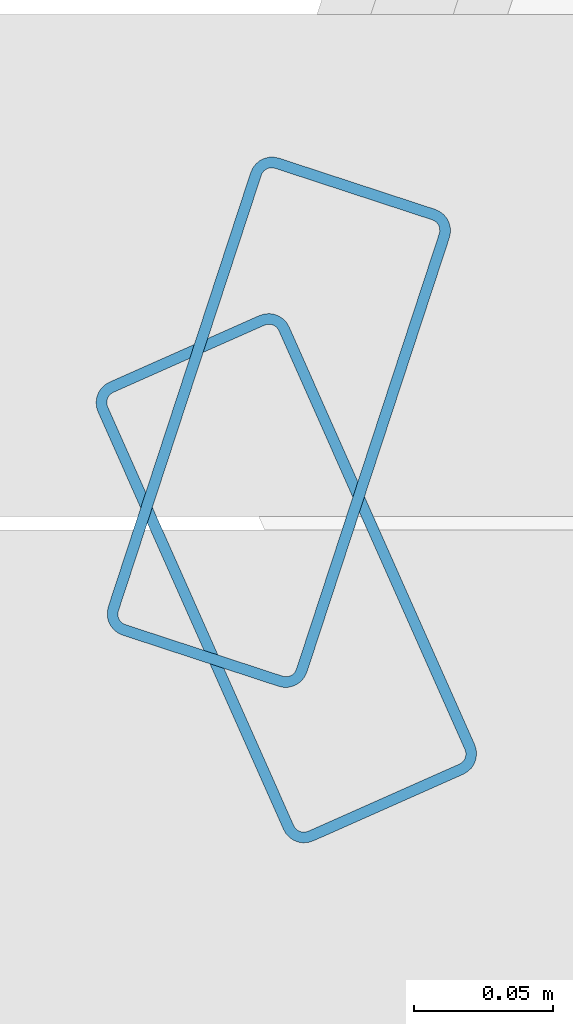
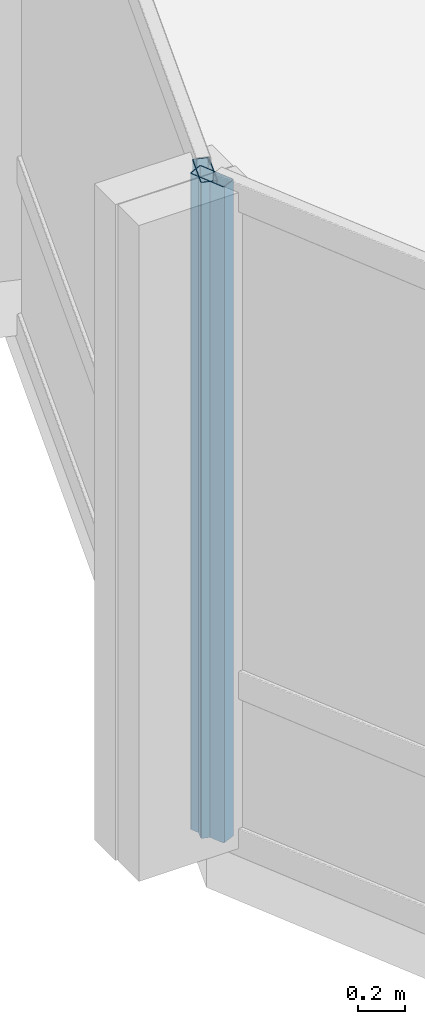
# One storey, part 6 of 28: 2 members, 2 elements without a shape of their own.
"""IFC4 building model written with IfcOpenShell, lengths in metres."""

from ifc_helpers import new_model, si_unit, direction, frame, origin, origin_2d, place, context, subcontext, project, spatial, hollow_rectangle, extrude, material, layer, layer_set, material_profile, profile_set, type_object, element, aggregate, save


model = new_model("IFC4")

# Units and contexts
model_context = context("Model", 3, precision=1e-05, world=origin(), true_north=direction((0.0, 1.0)))
body_context = subcontext(model_context, "Body", "Model", "MODEL_VIEW")
ifc_project = project(units=[si_unit("LENGTHUNIT", "METRE"), si_unit("AREAUNIT", "SQUARE_METRE"), si_unit("VOLUMEUNIT", "CUBIC_METRE"), si_unit("PLANEANGLEUNIT", "RADIAN"), si_unit("MASSUNIT", "GRAM", prefix="KILO")], contexts=[model_context])

# Site, building, storey
site_placement = place(None, origin())
site = spatial("IfcSite", under=ifc_project, at=site_placement, CompositionType="ELEMENT")
building_placement = place(site_placement, origin())
building = spatial("IfcBuilding", under=site, at=building_placement, Name="Solvaryn Broadcast Tower", CompositionType="ELEMENT")
storey_placement = place(building_placement, frame((0.0, 0.0, 158.10009765625)))
storey = spatial("IfcBuildingStorey", under=building, at=storey_placement, Name="L39", CompositionType="ELEMENT", Elevation=158.10009765625)

# Curtain wall, member
ifc_material_1 = material(Name="Aluminium and Terracotta Unitised Curtain Wall", Category="masonry")
ifc_layer = layer(ifc_material_1, 0.199951171875)
ifc_layer_set = layer_set([ifc_layer], Name="CW-SYS2-LOWMID")
curtain_wall_type = type_object("IfcCurtainWallType", Name="CW-SYS2-LOWMID", PredefinedType="NOTDEFINED", material=ifc_layer_set)
curtain_wall_1_placement = place(storey_placement, origin())
curtain_wall_1 = element("IfcCurtainWall", 1, at=curtain_wall_1_placement, inside=storey, type_object=curtain_wall_type, Name="L39 Curtain Wall DR1", PredefinedType="NOTDEFINED")
ifc_material_2 = material(Name="Anodised Aluminium 6063-T6", Category="aluminium")
ifc_material_profile = material_profile(ifc_material_2, hollow_rectangle(XDim=0.074951171875, YDim=0.179931640625, WallThickness=0.00390625, InnerFilletRadius=0.00390625, OuterFilletRadius=0.008056640625, at=origin_2d()))
ifc_profile_set = profile_set([ifc_material_profile], Name="Anodised Aluminium 6063-T6")
member_type = type_object("IfcMemberType", Name="CW-MUL-180", PredefinedType="MULLION", material=ifc_profile_set)
member_1_placement = place(storey_placement, frame((1.04345703125, 26.66455078125, 0.0), z_axis=(0.0, 0.0, 1.0), x_axis=(0.950198260794, -0.311646057547, 0.0)))
member_1 = element("IfcMember", 2, at=member_1_placement, type_object=member_type, Name="CWS2 mullion 2", PredefinedType="MULLION", context=body_context, shape_type="SweptSolid", body=[
    extrude(hollow_rectangle(XDim=0.074951171875, YDim=0.179931640625, WallThickness=0.00390625, InnerFilletRadius=0.00390625, OuterFilletRadius=0.008056640625, at=origin_2d()), origin(), (0.0, 0.0, 1.0), 3.419921875),
])
aggregate(curtain_wall_1, [member_1])

curtain_wall_2_placement = place(storey_placement, origin())
curtain_wall_2 = element("IfcCurtainWall", 3, at=curtain_wall_2_placement, inside=storey, type_object=curtain_wall_type, Name="L39 Curtain Wall DR2", PredefinedType="NOTDEFINED")
member_2_placement = place(storey_placement, frame((1.046142578125, 26.608642578125, 0.0), z_axis=(0.0, 0.0, 1.0), x_axis=(0.913909311008, 0.405918429309, 0.0)))
member_2 = element("IfcMember", 4, at=member_2_placement, type_object=member_type, Name="CWS2 mullion 1", PredefinedType="MULLION", context=body_context, shape_type="SweptSolid", body=[
    extrude(hollow_rectangle(XDim=0.074951171875, YDim=0.179931640625, WallThickness=0.00390625, InnerFilletRadius=0.00390625, OuterFilletRadius=0.008056640625, at=origin_2d()), origin(), (0.0, 0.0, 1.0), 3.419921875),
])
aggregate(curtain_wall_2, [member_2])

save(model, "model.ifc")
